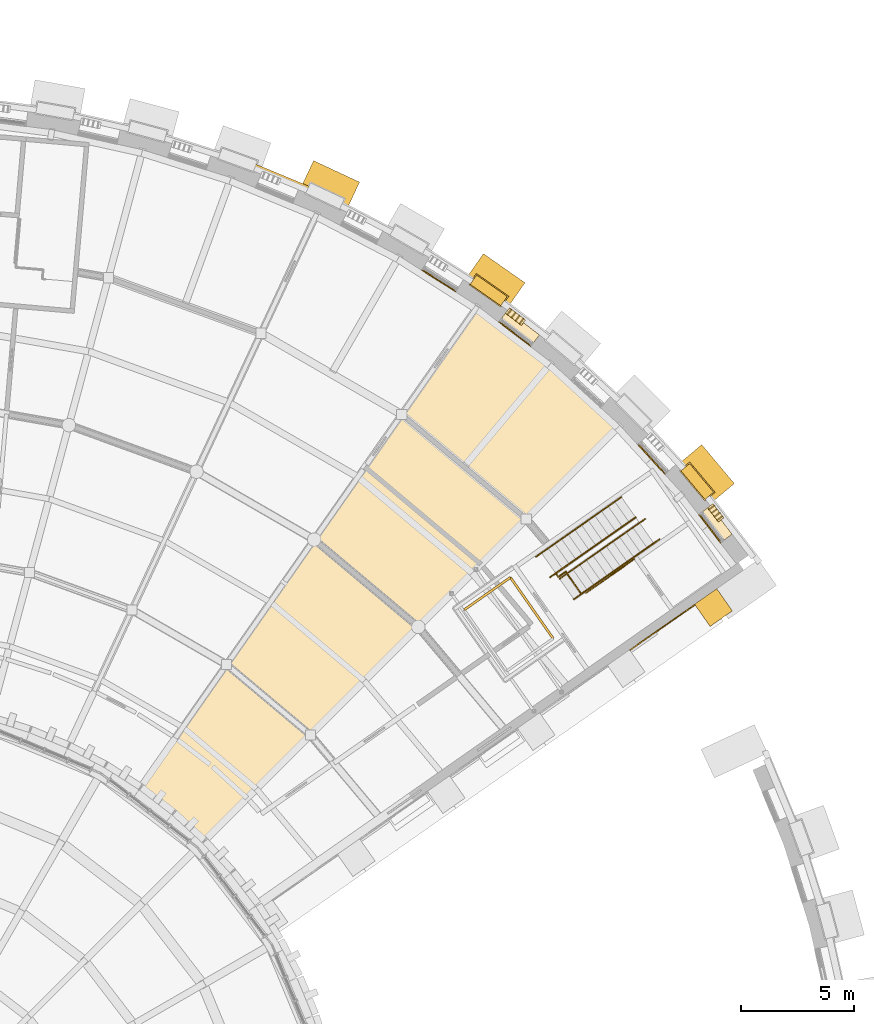
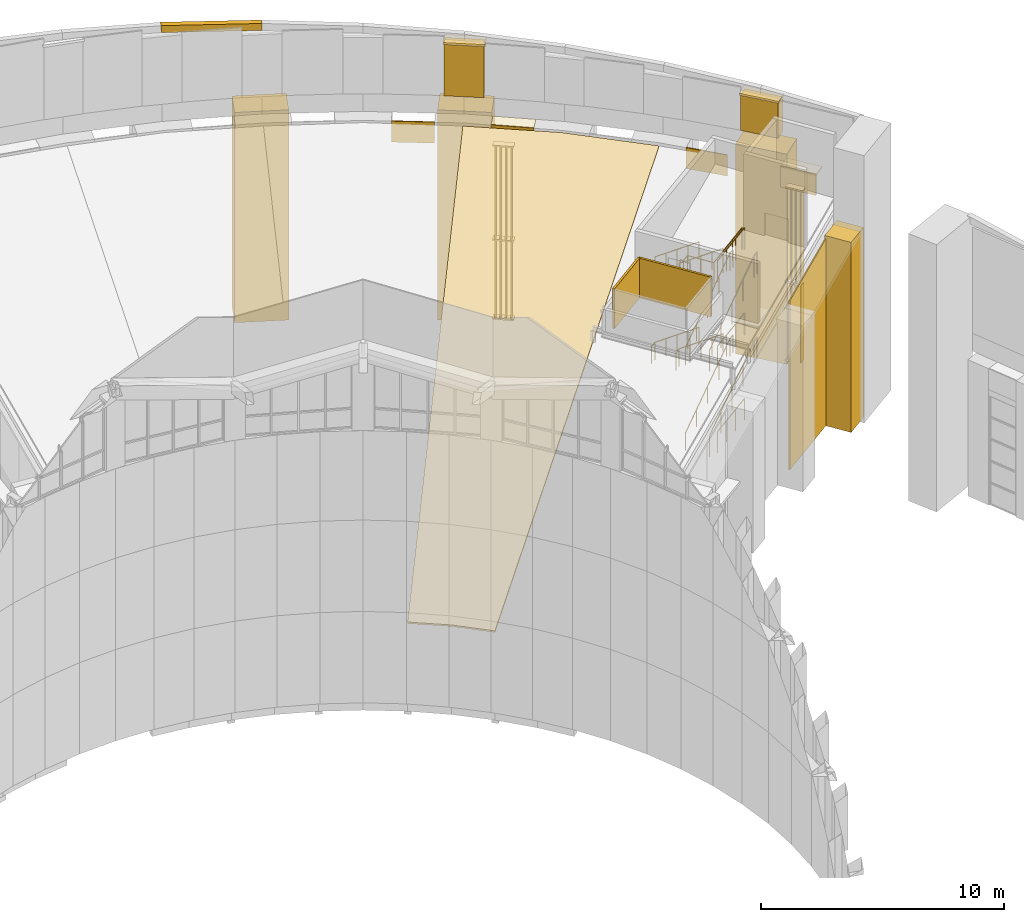
# One storey, part 80 of 82: 41 coverings, 12 railings.
"""IFC4 building model written with IfcOpenShell, lengths in metres."""

from ifc_helpers import new_model, si_unit, direction, frame, origin, origin_2d, place, context, subcontext, project, spatial, polyline, rectangle, circle, outline, extrude, material, layer, layer_set, type_object, element, save


model = new_model("IFC4")

# Units and contexts
model_context = context("Model", 3, precision=1e-05, world=origin(), true_north=direction((0.0, 1.0)))
body_context = subcontext(model_context, "Body", "Model", "MODEL_VIEW")
ifc_project = project(units=[si_unit("LENGTHUNIT", "METRE"), si_unit("AREAUNIT", "SQUARE_METRE"), si_unit("VOLUMEUNIT", "CUBIC_METRE"), si_unit("PLANEANGLEUNIT", "RADIAN"), si_unit("MASSUNIT", "GRAM", prefix="KILO")], contexts=[model_context])

# Site, building, storey
site_placement = place(None, origin())
site = spatial("IfcSite", under=ifc_project, at=site_placement, CompositionType="ELEMENT")
building_placement = place(site_placement, origin())
building = spatial("IfcBuilding", under=site, at=building_placement, Name="Volute Hill Aquarium", CompositionType="ELEMENT")
storey_placement = place(building_placement, frame((0.0, 0.0, 13.800048828125)))
storey = spatial("IfcBuildingStorey", under=building, at=storey_placement, Name="L04", CompositionType="ELEMENT", Elevation=13.800048828125)

# Coverings
ifc_material_1 = material(Name="Precast concrete C40/50", Category="concrete")
covering_type_1 = type_object("IfcCoveringType", Name="Crown coping beam precast concrete C40/50 250x350", PredefinedType="CLADDING", material=ifc_material_1)
covering_1_placement = place(storey_placement, frame((20.332763671875, 43.616455078125, 14.732177734375), z_axis=(0.382701939374, 0.92387186644, 0.0), x_axis=(-0.921929349044, 0.381897276734, 0.064813157569)))
element("IfcCovering", 1, at=covering_1_placement, inside=storey, type_object=covering_type_1, Name="Crown coping beam PCB S5 b06", PredefinedType="CLADDING", context=body_context, shape_type="SweptSolid", body=[
    extrude(outline(polyline([(0.0, 0.0), (4.196256847404414, -5.551115123125783e-17), (4.218947781963414, 0.3493615468258954), (0.02269093455900065, 0.34936154682589543), (0.0, 0.0)])), origin(), (0.0, 0.0, -1.0), 0.25),
])
ifc_material_2 = material(Name="Precast concrete C40/50", Category="concrete")
covering_type_2 = type_object("IfcCoveringType", Name="End wall precast fin C40/50 1200x1200", PredefinedType="CLADDING", material=ifc_material_2)
covering_2_placement = place(storey_placement, frame((37.484619140625, 25.270263671875, 0.0), z_axis=(0.0, 0.0, 1.0), x_axis=(0.819150254575, 0.573578992319, 0.0)))
element("IfcCovering", 2, at=covering_2_placement, inside=storey, type_object=covering_type_2, Name="End wall fin EWF S5A L04 6", PredefinedType="CLADDING", context=body_context, shape_type="SweptSolid", body=[
    extrude(rectangle(XDim=1.199951171875, YDim=1.199951171875, at=origin_2d()), origin(), (0.0, 0.0, 1.0), 9.563232421875),
])
ifc_material_3 = material(Name="Precast concrete C40/50", Category="concrete")
ifc_layer_1 = layer(ifc_material_3, 0.050048828125)
ifc_layer_set_1 = layer_set([ifc_layer_1], Name="End wall precast infill panel C40/50 50")
covering_type_3 = type_object("IfcCoveringType", Name="End wall precast infill panel C40/50 50", PredefinedType="CLADDING", material=ifc_layer_set_1)
covering_3_placement = place(storey_placement, frame((33.797607421875, 23.360107421875, 0.0), z_axis=(0.573560206306, -0.819163408449, 0.0), x_axis=(0.819163408449, 0.573560206306, 0.0)))
element("IfcCovering", 3, at=covering_3_placement, inside=storey, type_object=covering_type_3, Name="End wall panel EWP S5A L04 5", PredefinedType="CLADDING", context=body_context, shape_type="SweptSolid", body=[
    extrude(outline(polyline([(0.0, 0.0), (3.5159370199129762, 0.0), (3.5159370199129762, 9.408935546875), (0.0, 8.505126953125), (0.0, 0.0)])), origin(), (0.0, 0.0, -1.0), 0.050048828125),
])

# Railings
ifc_material_4 = material(Name="Stainless steel 1.4301", Category="steel")
railing_type_1 = type_object("IfcRailingType", Name="Guard 1100 stainless", PredefinedType="GUARDRAIL", material=ifc_material_4)
railing_1_placement = place(storey_placement, frame((33.970458984375, 27.412109375, 0.0)))
element("IfcRailing", 4, at=railing_1_placement, inside=storey, type_object=railing_type_1, Name="gd/S5-A/L04/edge", PredefinedType="GUARDRAIL", context=body_context, shape_type="SweptSolid", body=[
    extrude(circle(Radius=0.02392578125, at=origin_2d()), frame((0.0, 0.0, 1.076171875), z_axis=(-0.819148089014, -0.573582085028, 0.0), x_axis=(0.573582085028, -0.819148089014, 0.0)), (0.0, 0.0, 1.0), 2.599853515625),
    extrude(circle(Radius=0.02099609375, at=origin_2d()), origin(), (0.0, 0.0, 1.0), 1.052001953125),
    extrude(circle(Radius=0.02099609375, at=origin_2d()), frame((-0.7099609375, -0.4970703125, 0.0)), (0.0, 0.0, 1.0), 1.052001953125),
    extrude(circle(Radius=0.02099609375, at=origin_2d()), frame((-1.419677734375, -0.994140625, 0.0)), (0.0, 0.0, 1.0), 1.052001953125),
    extrude(circle(Radius=0.02099609375, at=origin_2d()), frame((-2.129638671875, -1.4912109375, 0.0)), (0.0, 0.0, 1.0), 1.052001953125),
])
for number, where, name in (
    (5, (31.303466796875, 25.64208984375, 0.165283203125), "gd/S5-A/L04/1"),
    (6, (31.303466796875, 25.64208984375, 4.46533203125), "gd/S5-A/L04m1/1"),
):
    element("IfcRailing", number, at=place(storey_placement, frame(where)), inside=storey, type_object=railing_type_1, Name=name, PredefinedType="GUARDRAIL", context=body_context, shape_type="SweptSolid", body=[
        extrude(circle(Radius=0.02392578125, at=origin_2d()), frame((0.0, 0.0, 1.076171875), z_axis=(0.744330846183, 0.521247280858, 0.417460014394), x_axis=(-0.573621635989, 0.819120393303, 0.0)), (0.0, 0.0, 1.0), 4.754150390625),
        extrude(circle(Radius=0.02392578125, at=origin_2d()), frame((3.53857421875, 2.47802734375, 3.060546875), z_axis=(0.819575896246, 0.572970636502, 0.0), x_axis=(-0.572970636502, 0.819575896246, 0.0)), (0.0, 0.0, 1.0), 0.300048828125),
        extrude(circle(Radius=0.02099609375, at=origin_2d()), origin(), (0.0, 0.0, 1.0), 1.052001953125),
        extrude(circle(Radius=0.02099609375, at=origin_2d()), frame((0.884765625, 0.61962890625, 0.49609375)), (0.0, 0.0, 1.0), 1.052001953125),
        extrude(circle(Radius=0.02099609375, at=origin_2d()), frame((1.769287109375, 1.239013671875, 0.9921875)), (0.0, 0.0, 1.0), 1.052001953125),
        extrude(circle(Radius=0.02099609375, at=origin_2d()), frame((2.65380859375, 1.8583984375, 1.488525390625)), (0.0, 0.0, 1.0), 1.052001953125),
        extrude(circle(Radius=0.02099609375, at=origin_2d()), frame((3.53857421875, 2.47802734375, 1.984619140625)), (0.0, 0.0, 1.0), 1.052001953125),
        extrude(circle(Radius=0.02099609375, at=origin_2d()), frame((3.784423828125, 2.64990234375, 1.984619140625)), (0.0, 0.0, 1.0), 1.052001953125),
    ])
for number, where, name in (
    (7, (33.970458984375, 27.412109375, 4.300048828125), "gd/S5-A/L04/m1"),
    (8, (33.970458984375, 27.412109375, 8.599853515625), "gd/S5-A/L04/roof"),
):
    element("IfcRailing", number, at=place(storey_placement, frame(where)), inside=storey, type_object=railing_type_1, Name=name, PredefinedType="GUARDRAIL", context=body_context, shape_type="SweptSolid", body=[
        extrude(circle(Radius=0.02392578125, at=origin_2d()), frame((0.0, 0.0, 1.076171875), z_axis=(-0.819148089014, -0.573582085028, 0.0), x_axis=(0.573582085028, -0.819148089014, 0.0)), (0.0, 0.0, 1.0), 2.599853515625),
        extrude(circle(Radius=0.02099609375, at=origin_2d()), origin(), (0.0, 0.0, 1.0), 1.052001953125),
        extrude(circle(Radius=0.02099609375, at=origin_2d()), frame((-0.7099609375, -0.4970703125, 0.0)), (0.0, 0.0, 1.0), 1.052001953125),
        extrude(circle(Radius=0.02099609375, at=origin_2d()), frame((-1.419677734375, -0.994140625, 0.0)), (0.0, 0.0, 1.0), 1.052001953125),
        extrude(circle(Radius=0.02099609375, at=origin_2d()), frame((-2.129638671875, -1.4912109375, 0.0)), (0.0, 0.0, 1.0), 1.052001953125),
    ])
railing_2_placement = place(storey_placement, frame((30.529052734375, 26.748046875, 8.599853515625)))
element("IfcRailing", 9, at=railing_2_placement, inside=storey, type_object=railing_type_1, Name="gd/S5-A/L04/roofwell", PredefinedType="GUARDRAIL", context=body_context, shape_type="SweptSolid", body=[
    extrude(circle(Radius=0.02392578125, at=origin_2d()), frame((0.0, 0.0, 1.076171875), z_axis=(0.573353020881, -0.819308436089, 0.0), x_axis=(0.819308436089, 0.573353020881, 0.0)), (0.0, 0.0, 1.0), 0.14990234375),
    extrude(circle(Radius=0.02392578125, at=origin_2d()), frame((0.0859375, -0.122802734375, 1.076171875), z_axis=(0.819346636746, 0.573298429139, 0.0), x_axis=(-0.573298429139, 0.819346636746, 0.0)), (0.0, 0.0, 1.0), 0.39990234375),
    extrude(circle(Radius=0.02392578125, at=origin_2d()), frame((0.41357421875, 0.1064453125, 1.076171875), z_axis=(0.573708088123, -0.819059844958, 0.0), x_axis=(0.819059844958, 0.573708088123, 0.0)), (0.0, 0.0, 1.0), 1.199951171875),
    extrude(circle(Radius=0.02392578125, at=origin_2d()), frame((1.10205078125, -0.87646484375, 1.076171875), z_axis=(0.819144325714, 0.57358745946, 0.0), x_axis=(-0.57358745946, 0.819144325714, 0.0)), (0.0, 0.0, 1.0), 2.75),
    extrude(circle(Radius=0.02099609375, at=origin_2d()), origin(), (0.0, 0.0, 1.0), 1.052001953125),
    extrude(circle(Radius=0.02099609375, at=origin_2d()), frame((0.0859375, -0.122802734375, 0.0)), (0.0, 0.0, 1.0), 1.052001953125),
    extrude(circle(Radius=0.02099609375, at=origin_2d()), frame((0.41357421875, 0.1064453125, 0.0)), (0.0, 0.0, 1.0), 1.052001953125),
    extrude(circle(Radius=0.02099609375, at=origin_2d()), frame((0.7578125, -0.385009765625, 0.0)), (0.0, 0.0, 1.0), 1.052001953125),
    extrude(circle(Radius=0.02099609375, at=origin_2d()), frame((1.10205078125, -0.87646484375, 0.0)), (0.0, 0.0, 1.0), 1.052001953125),
    extrude(circle(Radius=0.02099609375, at=origin_2d()), frame((1.85302734375, -0.3505859375, 0.0)), (0.0, 0.0, 1.0), 1.052001953125),
    extrude(circle(Radius=0.02099609375, at=origin_2d()), frame((2.603759765625, 0.175048828125, 0.0)), (0.0, 0.0, 1.0), 1.052001953125),
    extrude(circle(Radius=0.02099609375, at=origin_2d()), frame((3.354736328125, 0.700927734375, 0.0)), (0.0, 0.0, 1.0), 1.052001953125),
])
ifc_material_5 = material(Name="Stainless steel 1.4301", Category="steel")
railing_type_2 = type_object("IfcRailingType", Name="Handrail 48 stainless", PredefinedType="HANDRAIL", material=ifc_material_5)
railing_3_placement = place(storey_placement, frame((30.67236328125, 26.543212890625, 0.165283203125)))
element("IfcRailing", 10, at=railing_3_placement, inside=storey, type_object=railing_type_2, Name="hr/S5-A/L04/2", PredefinedType="HANDRAIL", context=body_context, shape_type="SweptSolid", body=[
    extrude(circle(Radius=0.02392578125, at=origin_2d()), frame((0.0, 0.0, 0.8759765625), z_axis=(0.744373670894, 0.521189954184, 0.417455230817), x_axis=(-0.573557162104, 0.819165539924, 0.0)), (0.0, 0.0, 1.0), 4.754150390625),
    extrude(circle(Radius=0.02392578125, at=origin_2d()), frame((3.538818359375, 2.477783203125, 2.8603515625), z_axis=(0.818925855405, 0.573899332068, 0.0), x_axis=(-0.573899332068, 0.818925855405, 0.0)), (0.0, 0.0, 1.0), 0.2998046875),
    extrude(circle(Radius=0.02099609375, at=origin_2d()), origin(), (0.0, 0.0, 1.0), 0.851806640625),
    extrude(circle(Radius=0.02099609375, at=origin_2d()), frame((0.884765625, 0.619384765625, 0.49609375)), (0.0, 0.0, 1.0), 0.851806640625),
    extrude(circle(Radius=0.02099609375, at=origin_2d()), frame((1.76953125, 1.23876953125, 0.9921875)), (0.0, 0.0, 1.0), 0.851806640625),
    extrude(circle(Radius=0.02099609375, at=origin_2d()), frame((2.654052734375, 1.8583984375, 1.488525390625)), (0.0, 0.0, 1.0), 0.851806640625),
    extrude(circle(Radius=0.02099609375, at=origin_2d()), frame((3.538818359375, 2.477783203125, 1.984619140625)), (0.0, 0.0, 1.0), 0.851806640625),
    extrude(circle(Radius=0.02099609375, at=origin_2d()), frame((3.784423828125, 2.64990234375, 1.984619140625)), (0.0, 0.0, 1.0), 0.851806640625),
])
railing_4_placement = place(storey_placement, frame((34.0390625, 29.266845703125, 2.3154296875)))
element("IfcRailing", 11, at=railing_4_placement, inside=storey, type_object=railing_type_2, Name="hr/S5-A/L04/3", PredefinedType="HANDRAIL", context=body_context, shape_type="SweptSolid", body=[
    extrude(circle(Radius=0.02392578125, at=origin_2d()), frame((0.0, 0.0, 0.8759765625), z_axis=(-0.744350770509, -0.521209877873, 0.417471189007), x_axis=(0.573583715313, -0.819146947457, 0.0)), (0.0, 0.0, 1.0), 4.75390625),
    extrude(circle(Radius=0.02392578125, at=origin_2d()), frame((-3.53857421875, -2.477783203125, 2.8603515625), z_axis=(-0.819193700616, -0.573516940352, 0.0), x_axis=(0.573516940352, -0.819193700616, 0.0)), (0.0, 0.0, 1.0), 0.300048828125),
    extrude(circle(Radius=0.02099609375, at=origin_2d()), origin(), (0.0, 0.0, 1.0), 0.851806640625),
    extrude(circle(Radius=0.02099609375, at=origin_2d()), frame((-0.884765625, -0.619384765625, 0.49609375)), (0.0, 0.0, 1.0), 0.851806640625),
    extrude(circle(Radius=0.02099609375, at=origin_2d()), frame((-1.769287109375, -1.23876953125, 0.9921875)), (0.0, 0.0, 1.0), 0.851806640625),
    extrude(circle(Radius=0.02099609375, at=origin_2d()), frame((-2.65380859375, -1.8583984375, 1.488525390625)), (0.0, 0.0, 1.0), 0.851806640625),
    extrude(circle(Radius=0.02099609375, at=origin_2d()), frame((-3.53857421875, -2.477783203125, 1.984619140625)), (0.0, 0.0, 1.0), 0.851806640625),
    extrude(circle(Radius=0.02099609375, at=origin_2d()), frame((-3.784423828125, -2.64990234375, 1.984619140625)), (0.0, 0.0, 1.0), 0.851806640625),
])
railing_5_placement = place(storey_placement, frame((33.408203125, 30.16796875, 2.3154296875)))
element("IfcRailing", 12, at=railing_5_placement, inside=storey, type_object=railing_type_2, Name="hr/S5-A/L04/4", PredefinedType="HANDRAIL", context=body_context, shape_type="SweptSolid", body=[
    extrude(circle(Radius=0.02392578125, at=origin_2d()), frame((0.0, 0.0, 0.8759765625), z_axis=(-0.744373670894, -0.521189954184, 0.417455230817), x_axis=(0.573557162104, -0.819165539924, 0.0)), (0.0, 0.0, 1.0), 4.754150390625),
    extrude(circle(Radius=0.02392578125, at=origin_2d()), frame((-3.538818359375, -2.477783203125, 2.8603515625), z_axis=(-0.818925855405, -0.573899332068, 0.0), x_axis=(0.573899332068, -0.818925855405, 0.0)), (0.0, 0.0, 1.0), 0.2998046875),
    extrude(circle(Radius=0.02099609375, at=origin_2d()), origin(), (0.0, 0.0, 1.0), 0.851806640625),
    extrude(circle(Radius=0.02099609375, at=origin_2d()), frame((-0.884765625, -0.619384765625, 0.49609375)), (0.0, 0.0, 1.0), 0.851806640625),
    extrude(circle(Radius=0.02099609375, at=origin_2d()), frame((-1.76953125, -1.23876953125, 0.9921875)), (0.0, 0.0, 1.0), 0.851806640625),
    extrude(circle(Radius=0.02099609375, at=origin_2d()), frame((-2.654052734375, -1.8583984375, 1.488525390625)), (0.0, 0.0, 1.0), 0.851806640625),
    extrude(circle(Radius=0.02099609375, at=origin_2d()), frame((-3.538818359375, -2.477783203125, 1.984619140625)), (0.0, 0.0, 1.0), 0.851806640625),
    extrude(circle(Radius=0.02099609375, at=origin_2d()), frame((-3.784423828125, -2.64990234375, 1.984619140625)), (0.0, 0.0, 1.0), 0.851806640625),
])
railing_6_placement = place(storey_placement, frame((30.67236328125, 26.543212890625, 4.46533203125)))
element("IfcRailing", 13, at=railing_6_placement, inside=storey, type_object=railing_type_2, Name="hr/S5-A/L04m1/2", PredefinedType="HANDRAIL", context=body_context, shape_type="SweptSolid", body=[
    extrude(circle(Radius=0.02392578125, at=origin_2d()), frame((0.0, 0.0, 0.8759765625), z_axis=(0.744373670894, 0.521189954184, 0.417455230817), x_axis=(-0.573557162104, 0.819165539924, 0.0)), (0.0, 0.0, 1.0), 4.754150390625),
    extrude(circle(Radius=0.02392578125, at=origin_2d()), frame((3.538818359375, 2.477783203125, 2.8603515625), z_axis=(0.818925855405, 0.573899332068, 0.0), x_axis=(-0.573899332068, 0.818925855405, 0.0)), (0.0, 0.0, 1.0), 0.2998046875),
    extrude(circle(Radius=0.02099609375, at=origin_2d()), origin(), (0.0, 0.0, 1.0), 0.851806640625),
    extrude(circle(Radius=0.02099609375, at=origin_2d()), frame((0.884765625, 0.619384765625, 0.49609375)), (0.0, 0.0, 1.0), 0.851806640625),
    extrude(circle(Radius=0.02099609375, at=origin_2d()), frame((1.76953125, 1.23876953125, 0.9921875)), (0.0, 0.0, 1.0), 0.851806640625),
    extrude(circle(Radius=0.02099609375, at=origin_2d()), frame((2.654052734375, 1.8583984375, 1.488525390625)), (0.0, 0.0, 1.0), 0.851806640625),
    extrude(circle(Radius=0.02099609375, at=origin_2d()), frame((3.538818359375, 2.477783203125, 1.984619140625)), (0.0, 0.0, 1.0), 0.851806640625),
    extrude(circle(Radius=0.02099609375, at=origin_2d()), frame((3.784423828125, 2.64990234375, 1.984619140625)), (0.0, 0.0, 1.0), 0.851806640625),
])
railing_7_placement = place(storey_placement, frame((34.0390625, 29.266845703125, 6.615234375)))
element("IfcRailing", 14, at=railing_7_placement, inside=storey, type_object=railing_type_2, Name="hr/S5-A/L04m1/3", PredefinedType="HANDRAIL", context=body_context, shape_type="SweptSolid", body=[
    extrude(circle(Radius=0.02392578125, at=origin_2d()), frame((0.0, 0.0, 0.8759765625), z_axis=(-0.744350770509, -0.521209877873, 0.417471189007), x_axis=(0.573583715313, -0.819146947457, 0.0)), (0.0, 0.0, 1.0), 4.75390625),
    extrude(circle(Radius=0.02099609375, at=origin_2d()), origin(), (0.0, 0.0, 1.0), 0.851806640625),
    extrude(circle(Radius=0.02099609375, at=origin_2d()), frame((-0.884765625, -0.619384765625, 0.49609375)), (0.0, 0.0, 1.0), 0.851806640625),
    extrude(circle(Radius=0.02099609375, at=origin_2d()), frame((-1.769287109375, -1.23876953125, 0.9921875)), (0.0, 0.0, 1.0), 0.851806640625),
    extrude(circle(Radius=0.02099609375, at=origin_2d()), frame((-2.65380859375, -1.8583984375, 1.488525390625)), (0.0, 0.0, 1.0), 0.851806640625),
    extrude(circle(Radius=0.02099609375, at=origin_2d()), frame((-3.53857421875, -2.477783203125, 1.984619140625)), (0.0, 0.0, 1.0), 0.851806640625),
])
railing_8_placement = place(storey_placement, frame((33.408203125, 30.16796875, 6.615234375)))
element("IfcRailing", 15, at=railing_8_placement, inside=storey, type_object=railing_type_2, Name="hr/S5-A/L04m1/4", PredefinedType="HANDRAIL", context=body_context, shape_type="SweptSolid", body=[
    extrude(circle(Radius=0.02392578125, at=origin_2d()), frame((0.0, 0.0, 0.8759765625), z_axis=(-0.744373670894, -0.521189954184, 0.417455230817), x_axis=(0.573557162104, -0.819165539924, 0.0)), (0.0, 0.0, 1.0), 4.754150390625),
    extrude(circle(Radius=0.02099609375, at=origin_2d()), origin(), (0.0, 0.0, 1.0), 0.851806640625),
    extrude(circle(Radius=0.02099609375, at=origin_2d()), frame((-0.884765625, -0.619384765625, 0.49609375)), (0.0, 0.0, 1.0), 0.851806640625),
    extrude(circle(Radius=0.02099609375, at=origin_2d()), frame((-1.76953125, -1.23876953125, 0.9921875)), (0.0, 0.0, 1.0), 0.851806640625),
    extrude(circle(Radius=0.02099609375, at=origin_2d()), frame((-2.654052734375, -1.8583984375, 1.488525390625)), (0.0, 0.0, 1.0), 0.851806640625),
    extrude(circle(Radius=0.02099609375, at=origin_2d()), frame((-3.538818359375, -2.477783203125, 1.984619140625)), (0.0, 0.0, 1.0), 0.851806640625),
])

# Coverings
ifc_material_6 = material(Name="Single-ply membrane with gravel ballast")
ifc_layer_2 = layer(ifc_material_6, 0.10009765625)
ifc_layer_set_2 = layer_set([ifc_layer_2], Name="Membrane roofing ballasted 100")
covering_type_4 = type_object("IfcCoveringType", Name="Membrane roofing ballasted 100", PredefinedType="ROOFING", material=ifc_layer_set_2)
covering_4_placement = place(storey_placement, frame((33.33984375, 33.33984375, 10.42578125), z_axis=(-0.160623512251, -0.191416096056, 0.968276802099), x_axis=(-0.737244996286, 0.675531903909, 0.011245543724)))
element("IfcCovering", 16, at=covering_4_placement, inside=storey, type_object=covering_type_4, Name="Membrane roof RF S5 2", PredefinedType="ROOFING", context=body_context, shape_type="SweptSolid", body=[
    extrude(outline(polyline([(0.0, 0.0), (4.113549347522814, 5.204170427930421e-17), (8.210426961154399, 0.369975513757022), (4.722266643234843, 27.143743562992142), (2.897634482901457, 26.978887024728873), (1.0655197506054621, 26.97911087141074), (0.0, 0.0)])), origin(), (0.0, 0.0, -1.0), 0.10009765625),
])
ifc_material_7 = material(Name="Precast concrete C40/50", Category="concrete")
ifc_layer_3 = layer(ifc_material_7, 0.10009765625)
ifc_layer_set_3 = layer_set([ifc_layer_3], Name="Niche cap precast concrete C40/50 100")
covering_type_5 = type_object("IfcCoveringType", Name="Niche cap precast concrete C40/50 100", PredefinedType="CLADDING", material=ifc_layer_set_3)
covering_5_placement = place(storey_placement, frame((37.58740234375, 28.968017578125, 10.48046875), z_axis=(0.0, 0.0, 1.0), x_axis=(-0.608752522404, 0.79336017449, 0.0)))
element("IfcCovering", 17, at=covering_5_placement, inside=storey, type_object=covering_type_5, Name="Niche cap NC S5 L04 1", PredefinedType="CLADDING", context=body_context, shape_type="SweptSolid", body=[
    extrude(rectangle(XDim=1.58544921875, YDim=0.60009765625, at=origin_2d()), origin(), (0.0, 0.0, 1.0), 0.10009765625),
])
covering_6_placement = place(storey_placement, frame((28.888671875, 37.648193359375, 10.48046875), z_axis=(0.0, 0.0, 1.0), x_axis=(-0.79336017449, 0.608752522404, 0.0)))
element("IfcCovering", 18, at=covering_6_placement, inside=storey, type_object=covering_type_5, Name="Niche cap NC S5 L04 4", PredefinedType="CLADDING", context=body_context, shape_type="SweptSolid", body=[
    extrude(rectangle(XDim=1.78564453125, YDim=0.60009765625, at=origin_2d()), origin(), (0.0, 0.0, 1.0), 0.10009765625),
])
ifc_material_8 = material(Name="Zinc")
ifc_layer_4 = layer(ifc_material_8, 0.050048828125)
ifc_layer_set_4 = layer_set([ifc_layer_4], Name="Niche head cladding panel 50")
covering_type_6 = type_object("IfcCoveringType", Name="Niche head cladding panel 50", PredefinedType="CLADDING", material=ifc_layer_set_4)
covering_7_placement = place(storey_placement, frame((37.32958984375, 28.770263671875, 9.5283203125), z_axis=(0.0, 0.0, 1.0), x_axis=(-0.608752522404, 0.79336017449, 0.0)))
element("IfcCovering", 19, at=covering_7_placement, inside=storey, type_object=covering_type_6, Name="Niche head cladding NF S5 L04 1", PredefinedType="CLADDING", context=body_context, shape_type="SweptSolid", body=[
    extrude(rectangle(XDim=1.58544921875, YDim=0.050048828125, at=origin_2d()), origin(), (0.0, 0.0, 1.0), 1.052490234375),
])
for number, where, z_axis, x_axis, name in (
    (20, (34.74755859375, 31.84033203125, 9.52587890625), (0.0, 0.0, 1.0), (-0.675585034027, 0.737282077497, 0.0), "Niche head cladding NF S5 L04 2"),
    (21, (28.690673828125, 37.390380859375, 9.52587890625), (0.0, 0.0, 1.0), (-0.79336017449, 0.608752522404, 0.0), "Niche head cladding NF S5 L04 4"),
    (22, (25.32275390625, 39.748779296875, 9.52587890625), (0.0, 0.0, 1.0), (-0.843385713059, 0.537308606862, 0.0), "Niche head cladding NF S5 L04 5"),
):
    element("IfcCovering", number, at=place(storey_placement, frame(where, z_axis=z_axis, x_axis=x_axis)), inside=storey, type_object=covering_type_6, Name=name, PredefinedType="CLADDING", context=body_context, shape_type="SweptSolid", body=[
        extrude(rectangle(XDim=1.78564453125, YDim=0.050048828125, at=origin_2d()), origin(), (0.0, 0.0, 1.0), 1.0546875),
    ])
ifc_material_9 = material(Name="Precast concrete C40/50", Category="concrete")
ifc_layer_5 = layer(ifc_material_9, 0.1201171875)
ifc_layer_set_5 = layer_set([ifc_layer_5], Name="Pier crown coping precast concrete C40/50 1757x600")
covering_type_7 = type_object("IfcCoveringType", Name="Pier crown coping precast concrete C40/50 1757x600", PredefinedType="CLADDING", material=ifc_layer_set_5)
for number, where, z_axis, x_axis, name in (
    (23, (36.7685546875, 30.8525390625, 13.25244140625), (0.0, 0.0, 1.0), (-0.642787609687, 0.766044443119, 0.0), "Pier crown coping PCC S5 1"),
    (24, (27.530517578125, 39.317626953125, 14.068359375), (0.0, 0.0, 1.0), (-0.819152044289, 0.573576436351, 0.0), "Pier crown coping PCC S5 4"),
):
    element("IfcCovering", number, at=place(storey_placement, frame(where, z_axis=z_axis, x_axis=x_axis)), inside=storey, type_object=covering_type_7, Name=name, PredefinedType="CLADDING", context=body_context, shape_type="SweptSolid", body=[
        extrude(rectangle(XDim=1.7568359375, YDim=0.60009765625, at=origin_2d()), origin(), (0.0, 0.0, 1.0), 0.1201171875),
    ])
ifc_material_10 = material(Name="Precast concrete C40/50", Category="concrete")
covering_type_8 = type_object("IfcCoveringType", Name="Pier crown fin precast concrete C40/50 1657x500", PredefinedType="CLADDING", material=ifc_material_10)
covering_8_placement = place(storey_placement, frame((36.7685546875, 30.8525390625, 11.48046875), z_axis=(0.0, 0.0, 1.0), x_axis=(-0.642787609687, 0.766044443119, 0.0)))
element("IfcCovering", 25, at=covering_8_placement, inside=storey, type_object=covering_type_8, Name="Pier crown fin PC S5 1", PredefinedType="CLADDING", context=body_context, shape_type="SweptSolid", body=[
    extrude(rectangle(XDim=1.656982421875, YDim=0.5, at=origin_2d()), origin(), (0.0, 0.0, 1.0), 1.77197265625),
])
covering_9_placement = place(storey_placement, frame((27.530517578125, 39.317626953125, 11.48046875), z_axis=(0.0, 0.0, 1.0), x_axis=(-0.819152044289, 0.573576436351, 0.0)))
element("IfcCovering", 26, at=covering_9_placement, inside=storey, type_object=covering_type_8, Name="Pier crown fin PC S5 4", PredefinedType="CLADDING", context=body_context, shape_type="SweptSolid", body=[
    extrude(rectangle(XDim=1.656982421875, YDim=0.5, at=origin_2d()), origin(), (0.0, 0.0, 1.0), 2.587646484375),
])
ifc_material_11 = material(Name="Aluminium", Category="aluminium")
covering_type_9 = type_object("IfcCoveringType", Name="Plant louvre slat 40x300", PredefinedType="CLADDING", material=ifc_material_11)
for number, where, z_axis, x_axis, name in (
    (27, (37.76513671875, 29.229248046875, 0.530029296875), (0.0, 0.0, 1.0), (-0.608752522404, 0.79336017449, 0.0), "Plant louvre slat S5 L04 1.1.1"),
    (28, (37.64453125, 29.386474609375, 0.530029296875), (0.0, 0.0, 1.0), (-0.608752522404, 0.79336017449, 0.0), "Plant louvre slat S5 L04 1.1.2"),
    (29, (37.523681640625, 29.543701171875, 0.530029296875), (0.0, 0.0, 1.0), (-0.608752522404, 0.79336017449, 0.0), "Plant louvre slat S5 L04 1.1.3"),
    (30, (37.403076171875, 29.700927734375, 0.530029296875), (0.0, 0.0, 1.0), (-0.608752522404, 0.79336017449, 0.0), "Plant louvre slat S5 L04 1.1.4"),
):
    element("IfcCovering", number, at=place(storey_placement, frame(where, z_axis=z_axis, x_axis=x_axis)), inside=storey, type_object=covering_type_9, Name=name, PredefinedType="CLADDING", context=body_context, shape_type="SweptSolid", body=[
        extrude(rectangle(XDim=0.0400390625, YDim=0.300048828125, at=origin_2d()), origin(), (0.0, 0.0, 1.0), 3.8798828125),
    ])
for number, where, z_axis, x_axis, name in (
    (31, (37.76513671875, 29.229248046875, 4.489990234375), (0.0, 0.0, 1.0), (-0.608752522404, 0.79336017449, 0.0), "Plant louvre slat S5 L04 1.2.1"),
    (32, (37.64453125, 29.386474609375, 4.489990234375), (0.0, 0.0, 1.0), (-0.608752522404, 0.79336017449, 0.0), "Plant louvre slat S5 L04 1.2.2"),
    (33, (37.523681640625, 29.543701171875, 4.489990234375), (0.0, 0.0, 1.0), (-0.608752522404, 0.79336017449, 0.0), "Plant louvre slat S5 L04 1.2.3"),
    (34, (37.403076171875, 29.700927734375, 4.489990234375), (0.0, 0.0, 1.0), (-0.608752522404, 0.79336017449, 0.0), "Plant louvre slat S5 L04 1.2.4"),
):
    element("IfcCovering", number, at=place(storey_placement, frame(where, z_axis=z_axis, x_axis=x_axis)), inside=storey, type_object=covering_type_9, Name=name, PredefinedType="CLADDING", context=body_context, shape_type="SweptSolid", body=[
        extrude(rectangle(XDim=0.0400390625, YDim=0.300048828125, at=origin_2d()), origin(), (0.0, 0.0, 1.0), 4.658203125),
    ])
for number, where, z_axis, x_axis, name in (
    (35, (28.982666015625, 37.954345703125, 0.530029296875), (0.0, 0.0, 1.0), (-0.79336017449, 0.608752522404, 0.0), "Plant louvre slat S5 L04 4.1.1"),
    (36, (28.8056640625, 38.090087890625, 0.530029296875), (0.0, 0.0, 1.0), (-0.79336017449, 0.608752522404, 0.0), "Plant louvre slat S5 L04 4.1.2"),
    (37, (28.62841796875, 38.22607421875, 0.530029296875), (0.0, 0.0, 1.0), (-0.79336017449, 0.608752522404, 0.0), "Plant louvre slat S5 L04 4.1.3"),
    (38, (28.451416015625, 38.36181640625, 0.530029296875), (0.0, 0.0, 1.0), (-0.79336017449, 0.608752522404, 0.0), "Plant louvre slat S5 L04 4.1.4"),
):
    element("IfcCovering", number, at=place(storey_placement, frame(where, z_axis=z_axis, x_axis=x_axis)), inside=storey, type_object=covering_type_9, Name=name, PredefinedType="CLADDING", context=body_context, shape_type="SweptSolid", body=[
        extrude(rectangle(XDim=0.0400390625, YDim=0.300048828125, at=origin_2d()), origin(), (0.0, 0.0, 1.0), 3.8798828125),
    ])
for number, where, z_axis, x_axis, name in (
    (39, (28.982666015625, 37.954345703125, 4.48974609375), (0.0, 0.0, 1.0), (-0.79336017449, 0.608752522404, 0.0), "Plant louvre slat S5 L04 4.2.1"),
    (40, (28.8056640625, 38.090087890625, 4.48974609375), (0.0, 0.0, 1.0), (-0.79336017449, 0.608752522404, 0.0), "Plant louvre slat S5 L04 4.2.2"),
    (41, (28.62841796875, 38.22607421875, 4.48974609375), (0.0, 0.0, 1.0), (-0.79336017449, 0.608752522404, 0.0), "Plant louvre slat S5 L04 4.2.3"),
    (42, (28.451416015625, 38.36181640625, 4.48974609375), (0.0, 0.0, 1.0), (-0.79336017449, 0.608752522404, 0.0), "Plant louvre slat S5 L04 4.2.4"),
):
    element("IfcCovering", number, at=place(storey_placement, frame(where, z_axis=z_axis, x_axis=x_axis)), inside=storey, type_object=covering_type_9, Name=name, PredefinedType="CLADDING", context=body_context, shape_type="SweptSolid", body=[
        extrude(rectangle(XDim=0.0400390625, YDim=0.300048828125, at=origin_2d()), origin(), (0.0, 0.0, 1.0), 4.656005859375),
    ])
ifc_material_12 = material(Name="Aluminium", Category="aluminium")
covering_type_10 = type_object("IfcCoveringType", Name="Plant louvre slat rail 300x80", PredefinedType="CLADDING", material=ifc_material_12)
for number, where, z_axis, x_axis, name in (
    (43, (37.583984375, 29.465087890625, 0.449951171875), (0.0, 0.0, 1.0), (-0.608752522404, 0.79336017449, 0.0), "Plant louvre slat rail S5 L04 1.1"),
    (44, (37.583984375, 29.465087890625, 4.409912109375), (0.0, 0.0, 1.0), (-0.608752522404, 0.79336017449, 0.0), "Plant louvre slat rail S5 L04 1.2"),
    (45, (37.583984375, 29.465087890625, 9.148193359375), (0.0, 0.0, 1.0), (-0.608752522404, 0.79336017449, 0.0), "Plant louvre slat rail S5 L04 1.3"),
):
    element("IfcCovering", number, at=place(storey_placement, frame(where, z_axis=z_axis, x_axis=x_axis)), inside=storey, type_object=covering_type_10, Name=name, PredefinedType="CLADDING", context=body_context, shape_type="SweptSolid", body=[
        extrude(rectangle(XDim=0.792724609375, YDim=0.300048828125, at=origin_2d()), origin(), (0.0, 0.0, 1.0), 0.080078125),
    ])
for number, where, z_axis, x_axis, name in (
    (46, (28.717041015625, 38.157958984375, 0.449951171875), (0.0, 0.0, 1.0), (-0.79336017449, 0.608752522404, 0.0), "Plant louvre slat rail S5 L04 4.1"),
    (47, (28.717041015625, 38.157958984375, 4.409912109375), (0.0, 0.0, 1.0), (-0.79336017449, 0.608752522404, 0.0), "Plant louvre slat rail S5 L04 4.2"),
    (48, (28.717041015625, 38.157958984375, 9.145751953125), (0.0, 0.0, 1.0), (-0.79336017449, 0.608752522404, 0.0), "Plant louvre slat rail S5 L04 4.3"),
):
    element("IfcCovering", number, at=place(storey_placement, frame(where, z_axis=z_axis, x_axis=x_axis)), inside=storey, type_object=covering_type_10, Name=name, PredefinedType="CLADDING", context=body_context, shape_type="SweptSolid", body=[
        extrude(rectangle(XDim=0.892822265625, YDim=0.300048828125, at=origin_2d()), origin(), (0.0, 0.0, 1.0), 0.080078125),
    ])
ifc_material_13 = material(Name="Aluminium", Category="aluminium")
ifc_layer_6 = layer(ifc_material_13, 0.10009765625)
ifc_layer_set_6 = layer_set([ifc_layer_6], Name="Plant screen louvre panel 2000x100")
covering_type_11 = type_object("IfcCoveringType", Name="Plant screen louvre panel 2000x100", PredefinedType="CLADDING", material=ifc_layer_set_6)
covering_10_placement = place(storey_placement, frame((29.439697265625, 25.2529296875, 8.599853515625), z_axis=(0.0, 0.0, 1.0), x_axis=(-0.573576433048, 0.819152046601, 0.0)))
element("IfcCovering", 49, at=covering_10_placement, inside=storey, type_object=covering_type_11, Name="Plant screen louvre panel LVS 2", PredefinedType="CLADDING", context=body_context, shape_type="SweptSolid", body=[
    extrude(rectangle(XDim=3.300048828125, YDim=0.10009765625, at=origin_2d()), origin(), (0.0, 0.0, 1.0), 2.0),
])
covering_11_placement = place(storey_placement, frame((27.46923828125, 25.887451171875, 8.599853515625), z_axis=(0.0, 0.0, 1.0), x_axis=(-0.819145293201, -0.573586077783, 0.0)))
element("IfcCovering", 50, at=covering_11_placement, inside=storey, type_object=covering_type_11, Name="Plant screen louvre panel LVS 3", PredefinedType="CLADDING", context=body_context, shape_type="SweptSolid", body=[
    extrude(rectangle(XDim=2.5, YDim=0.10009765625, at=origin_2d()), origin(), (0.0, 0.0, 1.0), 2.0),
])
ifc_material_14 = material(Name="Precast concrete C40/50", Category="concrete")
covering_type_12 = type_object("IfcCoveringType", Name="Projecting pier precast concrete C40/50 2249x1200", PredefinedType="CLADDING", material=ifc_material_14)
for number, where, z_axis, x_axis, name in (
    (51, (37.228271484375, 31.238037109375, 0.0), (0.0, 0.0, 1.0), (-0.642787609687, 0.766044443119, 0.0), "Projecting pier PP S5 L04 1"),
    (52, (27.87451171875, 39.80908203125, 0.0), (0.0, 0.0, 1.0), (-0.819152044289, 0.573576436351, 0.0), "Projecting pier PP S5 L04 4"),
    (53, (20.538330078125, 44.044677734375, 0.0), (0.0, 0.0, 1.0), (-0.906307787037, 0.422618261741, 0.0), "Projecting pier PP S5 L04 6"),
):
    element("IfcCovering", number, at=place(storey_placement, frame(where, z_axis=z_axis, x_axis=x_axis)), inside=storey, type_object=covering_type_12, Name=name, PredefinedType="CLADDING", context=body_context, shape_type="SweptSolid", body=[
        extrude(rectangle(XDim=2.24853515625, YDim=1.199951171875, at=origin_2d()), origin(), (0.0, 0.0, 1.0), 10.58056640625),
    ])

save(model, "model.ifc")
